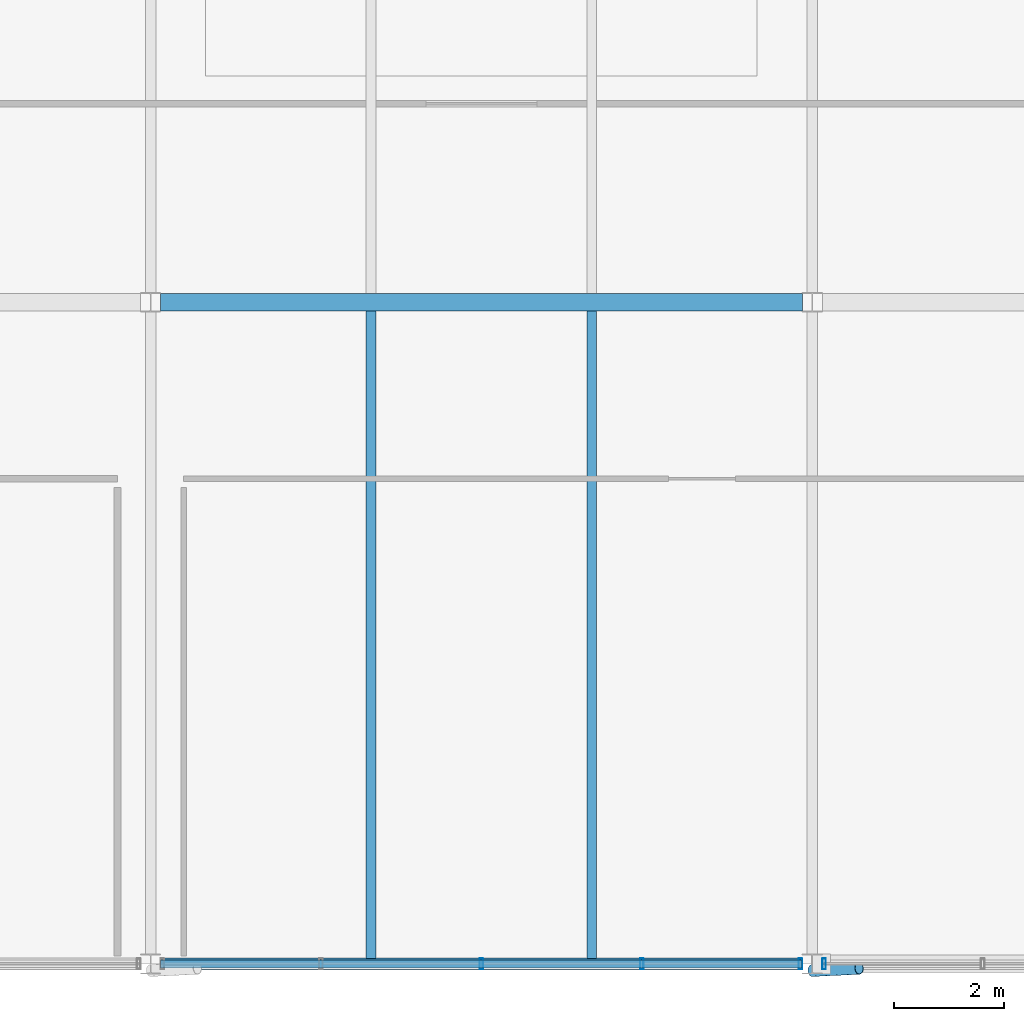
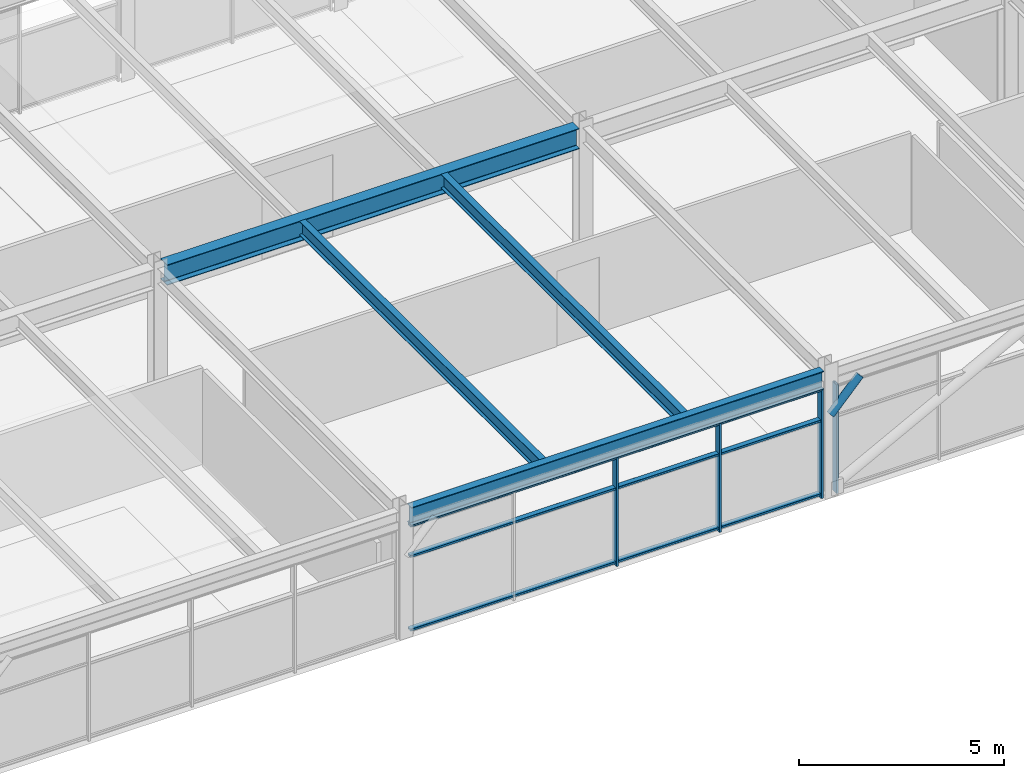
# One storey, part 12 of 23: 8 members, 4 beams, 2 elements without a shape of their own.
"""IFC4 building model written with IfcOpenShell, lengths in metres."""

from ifc_helpers import new_model, si_unit, direction, frame, origin, origin_2d, place, context, subcontext, project, spatial, hollow_rectangle, hollow_circle, i_section, extrude, material, material_profile, profile_set, type_object, element, aggregate, save


model = new_model("IFC4")

# Units and contexts
model_context = context("Model", 3, precision=1e-05, world=origin(), true_north=direction((0.0, 1.0)))
body_context = subcontext(model_context, "Body", "Model", "MODEL_VIEW")
ifc_project = project(units=[si_unit("LENGTHUNIT", "METRE"), si_unit("AREAUNIT", "SQUARE_METRE"), si_unit("VOLUMEUNIT", "CUBIC_METRE"), si_unit("PLANEANGLEUNIT", "RADIAN"), si_unit("MASSUNIT", "GRAM", prefix="KILO")], contexts=[model_context])

# Site, building, storey
site_placement = place(None, origin())
site = spatial("IfcSite", under=ifc_project, at=site_placement, CompositionType="ELEMENT")
building_placement = place(site_placement, origin())
building = spatial("IfcBuilding", under=site, at=building_placement, Name="Girod Span Mobility Hub", CompositionType="ELEMENT")
storey_placement = place(building_placement, frame((0.0, 0.0, 65.60009765625)))
storey = spatial("IfcBuildingStorey", under=building, at=storey_placement, Name="L16", CompositionType="ELEMENT", Elevation=65.60009765625)

# Beams
ifc_material_1 = material(Name="Steel A992 Grade 50", Category="steel")
ifc_material_profile_1 = material_profile(ifc_material_1, i_section(OverallWidth=0.178955078125, OverallDepth=0.409912109375, WebThickness=0.0087890625, FlangeThickness=0.014404296875, FilletRadius=0.012939453125, at=origin_2d()), Name="W16X45")
ifc_profile_set_1 = profile_set([ifc_material_profile_1], Name="Steel A992 Grade 50")
beam_type_1 = type_object("IfcBeamType", Name="BM-STL-W16X45", PredefinedType="BEAM", material=ifc_profile_set_1)
for number, where, z_axis, x_axis, name in (
    (1, (88.0, 45.10302734375, 3.5849609375), (0.0, 1.0, 0.0), (-1.0, 0.0, 0.0), "Composite Floorbeam 8/D-1 L16"),
    (2, (92.0, 45.10302734375, 3.5849609375), (0.0, 1.0, 0.0), (-1.0, 0.0, 0.0), "Composite Floorbeam 8/D-2 L16"),
):
    element("IfcBeam", number, at=place(storey_placement, frame(where, z_axis=z_axis, x_axis=x_axis)), inside=storey, type_object=beam_type_1, Name=name, PredefinedType="BEAM", context=body_context, shape_type="SweptSolid", body=[
        extrude(i_section(OverallWidth=0.178955078125, OverallDepth=0.409912109375, WebThickness=0.0087890625, FlangeThickness=0.014404296875, FilletRadius=0.012939453125, at=origin_2d()), origin(), (0.0, 0.0, 1.0), 11.738037109375),
    ])
ifc_material_2 = material(Name="Steel A992 Grade 50", Category="steel")
ifc_material_profile_2 = material_profile(ifc_material_2, i_section(OverallWidth=0.2119140625, OverallDepth=0.5439453125, WebThickness=0.01318359375, FlangeThickness=0.021240234375, FilletRadius=0.014892578125, at=origin_2d()), Name="W21X83")
ifc_profile_set_2 = profile_set([ifc_material_profile_2], Name="Steel A992 Grade 50")
beam_type_2 = type_object("IfcBeamType", Name="BM-STL-W21X83", PredefinedType="SPANDREL", material=ifc_profile_set_2)
beam_1_placement = place(storey_placement, frame((84.181396484375, 45.0, 3.517822265625), z_axis=(1.0, 0.0, 0.0), x_axis=(0.0, 1.0, 0.0)))
element("IfcBeam", 3, at=beam_1_placement, inside=storey, type_object=beam_type_2, Name="Girder 8-9/D L16", PredefinedType="SPANDREL", context=body_context, shape_type="SweptSolid", body=[
    extrude(i_section(OverallWidth=0.2119140625, OverallDepth=0.5439453125, WebThickness=0.01318359375, FlangeThickness=0.021240234375, FilletRadius=0.014892578125, at=origin_2d()), origin(), (0.0, 0.0, 1.0), 11.63720703125),
])
ifc_material_3 = material(Name="Steel A992 Grade 50", Category="steel")
ifc_material_profile_3 = material_profile(ifc_material_3, i_section(OverallWidth=0.323974609375, OverallDepth=0.611083984375, WebThickness=0.0126953125, FlangeThickness=0.01904296875, FilletRadius=0.014892578125, at=origin_2d()), Name="W24X104")
ifc_profile_set_3 = profile_set([ifc_material_profile_3], Name="Steel A992 Grade 50")
beam_type_3 = type_object("IfcBeamType", Name="BM-STL-W24X104", PredefinedType="BEAM", material=ifc_profile_set_3)
beam_2_placement = place(storey_placement, frame((84.181396484375, 57.0, 3.484375), z_axis=(1.0, 0.0, 0.0), x_axis=(0.0, 1.0, 0.0)))
element("IfcBeam", 4, at=beam_2_placement, inside=storey, type_object=beam_type_3, Name="Girder 8-9/E L16", PredefinedType="BEAM", context=body_context, shape_type="SweptSolid", body=[
    extrude(i_section(OverallWidth=0.323974609375, OverallDepth=0.611083984375, WebThickness=0.0126953125, FlangeThickness=0.01904296875, FilletRadius=0.014892578125, at=origin_2d()), origin(), (0.0, 0.0, 1.0), 11.63720703125),
])

# Curtain wall, members
ifc_material_4 = material(Name="Thermally Broken Anodised Aluminium", Category="aluminium")
curtain_wall_type = type_object("IfcCurtainWallType", Name="CW-1164X325", PredefinedType="USERDEFINED", material=ifc_material_4)
curtain_wall_1_placement = place(storey_placement, origin())
curtain_wall_1 = element("IfcCurtainWall", 5, at=curtain_wall_1_placement, inside=storey, type_object=curtain_wall_type, Name="Unitised Curtain Wall CW-L16-S08 L16", ObjectType="UNITISED CURTAIN WALL", PredefinedType="USERDEFINED")
ifc_material_5 = material(Name="Thermally Broken Anodised Aluminium", Category="aluminium")
ifc_material_profile_4 = material_profile(ifc_material_5, hollow_rectangle(XDim=0.199951171875, YDim=0.06494140625, WallThickness=0.00390625, InnerFilletRadius=0.00390625, OuterFilletRadius=0.008056640625, at=origin_2d()), Name="CW-ML-65X200")
ifc_profile_set_4 = profile_set([ifc_material_profile_4], Name="Thermally Broken Anodised Aluminium")
member_type_1 = type_object("IfcMemberType", Name="CWM-ML-1", PredefinedType="MULLION", material=ifc_profile_set_4)
member_1_placement = place(storey_placement, frame((90.0, 45.0, 0.0), z_axis=(0.0, 0.0, 1.0), x_axis=(0.0, 1.0, 0.0)))
member_1 = element("IfcMember", 6, at=member_1_placement, type_object=member_type_1, Name="Curtain Wall Mullion CW-L16-S08-M2", PredefinedType="MULLION", context=body_context, shape_type="SweptSolid", body=[
    extrude(hollow_rectangle(XDim=0.199951171875, YDim=0.06494140625, WallThickness=0.00390625, InnerFilletRadius=0.00390625, OuterFilletRadius=0.008056640625, at=origin_2d()), origin(), (0.0, 0.0, 1.0), 3.245849609375),
])
member_2_placement = place(storey_placement, frame((92.90869140625, 45.0, 0.0), z_axis=(0.0, 0.0, 1.0), x_axis=(0.0, 1.0, 0.0)))
member_2 = element("IfcMember", 7, at=member_2_placement, type_object=member_type_1, Name="Curtain Wall Mullion CW-L16-S08-M3", PredefinedType="MULLION", context=body_context, shape_type="SweptSolid", body=[
    extrude(hollow_rectangle(XDim=0.199951171875, YDim=0.06494140625, WallThickness=0.00390625, InnerFilletRadius=0.00390625, OuterFilletRadius=0.008056640625, at=origin_2d()), origin(), (0.0, 0.0, 1.0), 3.245849609375),
])
member_3_placement = place(storey_placement, frame((95.785400390625, 45.0, 0.0), z_axis=(0.0, 0.0, 1.0), x_axis=(0.0, 1.0, 0.0)))
member_3 = element("IfcMember", 8, at=member_3_placement, type_object=member_type_1, Name="Curtain Wall Mullion CW-L16-S08-M4", PredefinedType="MULLION", context=body_context, shape_type="SweptSolid", body=[
    extrude(hollow_rectangle(XDim=0.199951171875, YDim=0.06494140625, WallThickness=0.00390625, InnerFilletRadius=0.00390625, OuterFilletRadius=0.008056640625, at=origin_2d()), origin(), (0.0, 0.0, 1.0), 3.245849609375),
])

# Curtain wall, member
curtain_wall_2_placement = place(storey_placement, origin())
curtain_wall_2 = element("IfcCurtainWall", 9, at=curtain_wall_2_placement, inside=storey, type_object=curtain_wall_type, Name="Unitised Curtain Wall CW-L16-S09 L16", ObjectType="UNITISED CURTAIN WALL", PredefinedType="USERDEFINED")
member_4_placement = place(storey_placement, frame((96.214599609375, 45.0, 0.0), z_axis=(0.0, 0.0, 1.0), x_axis=(0.0, 1.0, 0.0)))
member_4 = element("IfcMember", 10, at=member_4_placement, type_object=member_type_1, Name="Curtain Wall Mullion CW-L16-S09-M0", PredefinedType="MULLION", context=body_context, shape_type="SweptSolid", body=[
    extrude(hollow_rectangle(XDim=0.199951171875, YDim=0.06494140625, WallThickness=0.00390625, InnerFilletRadius=0.00390625, OuterFilletRadius=0.008056640625, at=origin_2d()), origin(), (0.0, 0.0, 1.0), 3.245849609375),
])
aggregate(curtain_wall_2, [member_4])

# Member
ifc_material_6 = material(Name="Thermally Broken Anodised Aluminium", Category="aluminium")
ifc_material_profile_5 = material_profile(ifc_material_6, hollow_rectangle(XDim=0.14990234375, YDim=0.06494140625, WallThickness=0.00390625, InnerFilletRadius=0.00390625, OuterFilletRadius=0.008056640625, at=origin_2d()), Name="CW-TR-65X150")
ifc_profile_set_5 = profile_set([ifc_material_profile_5], Name="Thermally Broken Anodised Aluminium")
member_type_2 = type_object("IfcMemberType", Name="CWM-TR-1", PredefinedType="USERDEFINED", material=ifc_profile_set_5)
member_5_placement = place(storey_placement, frame((84.1826171875, 45.0, 0.107421875), z_axis=(1.0, 0.0, 0.0), x_axis=(0.0, 1.0, 0.0)))
member_5 = element("IfcMember", 11, at=member_5_placement, type_object=member_type_2, Name="Curtain Wall Transom CW-L16-S08-T1", ObjectType="TRANSOM", PredefinedType="USERDEFINED", context=body_context, shape_type="SweptSolid", body=[
    extrude(hollow_rectangle(XDim=0.14990234375, YDim=0.06494140625, WallThickness=0.00390625, InnerFilletRadius=0.00390625, OuterFilletRadius=0.008056640625, at=origin_2d()), origin(), (0.0, 0.0, 1.0), 11.634765625),
])

member_6_placement = place(storey_placement, frame((84.1826171875, 45.0, 2.304443359375), z_axis=(1.0, 0.0, 0.0), x_axis=(0.0, 1.0, 0.0)))
member_6 = element("IfcMember", 12, at=member_6_placement, type_object=member_type_2, Name="Curtain Wall Transom CW-L16-S08-T2", ObjectType="TRANSOM", PredefinedType="USERDEFINED", context=body_context, shape_type="SweptSolid", body=[
    extrude(hollow_rectangle(XDim=0.14990234375, YDim=0.06494140625, WallThickness=0.00390625, InnerFilletRadius=0.00390625, OuterFilletRadius=0.008056640625, at=origin_2d()), origin(), (0.0, 0.0, 1.0), 11.634765625),
])

member_7_placement = place(storey_placement, frame((84.1826171875, 45.0, 3.21337890625), z_axis=(1.0, 0.0, 0.0), x_axis=(0.0, 1.0, 0.0)))
member_7 = element("IfcMember", 13, at=member_7_placement, type_object=member_type_2, Name="Curtain Wall Transom CW-L16-S08-T3", ObjectType="TRANSOM", PredefinedType="USERDEFINED", context=body_context, shape_type="SweptSolid", body=[
    extrude(hollow_rectangle(XDim=0.14990234375, YDim=0.06494140625, WallThickness=0.00390625, InnerFilletRadius=0.00390625, OuterFilletRadius=0.008056640625, at=origin_2d()), origin(), (0.0, 0.0, 1.0), 11.634765625),
])

aggregate(curtain_wall_1, [member_1, member_2, member_3, member_5, member_6, member_7])

ifc_material_7 = material(Name="Steel HSS A500 Grade C", Category="steel")
ifc_material_profile_6 = material_profile(ifc_material_7, hollow_circle(Radius=0.109619140625, WallThickness=0.0087890625, at=origin_2d()), Name="HSS219X9.5")
ifc_profile_set_6 = profile_set([ifc_material_profile_6], Name="Steel HSS A500 Grade C")
member_type_3 = type_object("IfcMemberType", Name="MB-ST-HSS219", PredefinedType="STRUT", material=ifc_profile_set_6)
member_8_placement = place(storey_placement, frame((96.0, 44.8798828125, 2.449951171875), z_axis=(0.702671876699, 0.03309540143, 0.710743925828), x_axis=(-0.047047213483, 0.998892666758, 0.0)))
element("IfcMember", 14, at=member_8_placement, inside=storey, type_object=member_type_3, Name="Solar Shading Knee Strut 9 L16", PredefinedType="STRUT", context=body_context, shape_type="SweptSolid", body=[
    extrude(hollow_circle(Radius=0.109619140625, WallThickness=0.0087890625, at=origin_2d()), origin(), (0.0, 0.0, 1.0), 1.209716796875),
])

save(model, "model.ifc")
